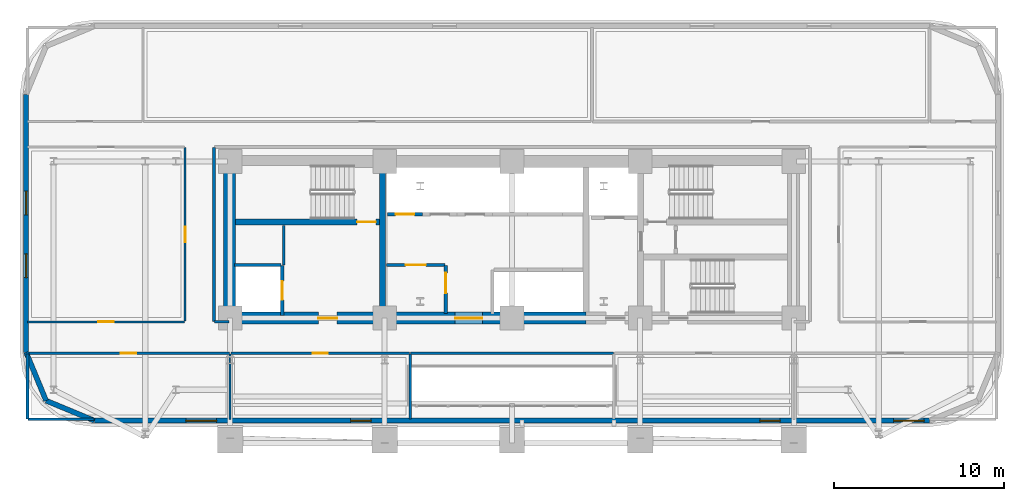
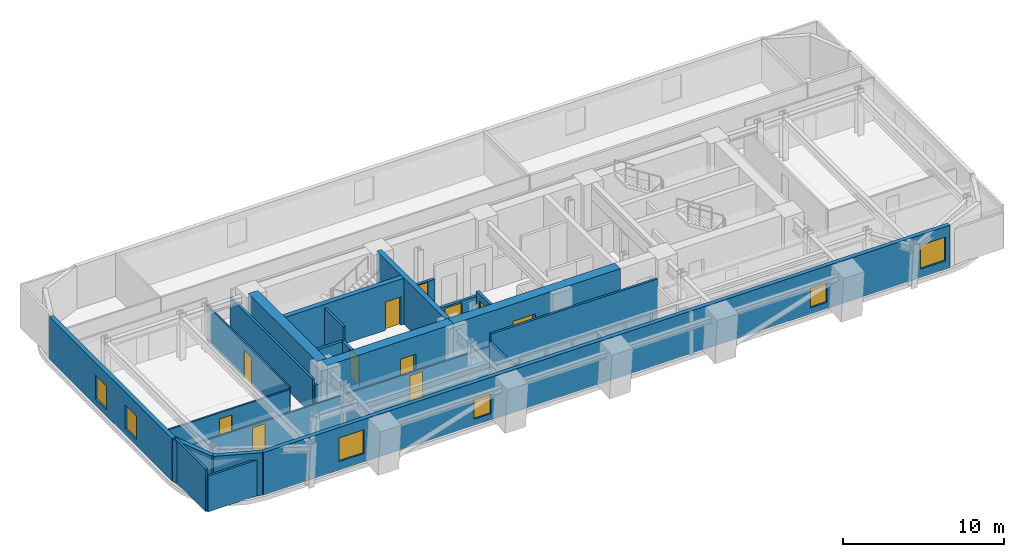
# One storey, part 8 of 14: 26 walls, 11 doors, 6 windows, 17 openings.
"""IFC4 building model written with IfcOpenShell, lengths in metres."""

from ifc_helpers import new_model, si_unit, direction, frame, frame_2d, origin, place, context, subcontext, project, spatial, rectangle, extrude, material, layer, layer_set, type_object, element, fill, save


model = new_model("IFC4")

# Units and contexts
model_context = context("Model", 3, precision=1e-05, world=origin(), true_north=direction((0.0, 1.0)))
body_context = subcontext(model_context, "Body", "Model", "MODEL_VIEW")
ifc_project = project(units=[si_unit("LENGTHUNIT", "METRE"), si_unit("AREAUNIT", "SQUARE_METRE"), si_unit("VOLUMEUNIT", "CUBIC_METRE"), si_unit("PLANEANGLEUNIT", "RADIAN"), si_unit("MASSUNIT", "GRAM", prefix="KILO")], contexts=[model_context])

# Site, building, storey
site_placement = place(None, origin())
site = spatial("IfcSite", under=ifc_project, at=site_placement, CompositionType="ELEMENT")
building_placement = place(site_placement, origin())
building = spatial("IfcBuilding", under=site, at=building_placement, Name="Zarnavel Station Tower", CompositionType="ELEMENT")
storey_placement = place(building_placement, frame((0.0, 0.0, 60.5)))
storey = spatial("IfcBuildingStorey", under=building, at=storey_placement, Name="L16", CompositionType="ELEMENT", Elevation=60.5)

# Wall
ifc_material_1 = material(Name="Concrete C50/60", Category="concrete")
ifc_layer_1 = layer(ifc_material_1, 0.35009765625)
ifc_layer_set_1 = layer_set([ifc_layer_1], Name="CW_350")
wall_type_1 = type_object("IfcWallType", Name="CW_350", PredefinedType="SHEAR", material=ifc_layer_set_1)
wall_1_placement = place(storey_placement, frame((21.179931640625, 28.169921875, 0.0), z_axis=(0.0, 0.0, 1.0), x_axis=(0.0, 1.0, 0.0)))
element("IfcWall", 1, at=wall_1_placement, inside=storey, type_object=wall_type_1, Name="L16 Rear Core Shear Wall DIV-W", PredefinedType="SHEAR", context=body_context, shape_type="SweptSolid", body=[
    extrude(rectangle(XDim=8.530029296875, YDim=0.35009765625, at=frame_2d((4.26513671875, 0.0))), origin(), (0.0, 0.0, 1.0), 3.5),
])

# Wall, opening, door
wall_2_placement = place(storey_placement, frame((21.0048828125, 33.47998046875, 0.0), z_axis=(0.0, 0.0, 1.0), x_axis=(-1.0, 0.0, 0.0)))
wall_2 = element("IfcWall", 2, at=wall_2_placement, inside=storey, type_object=wall_type_1, Name="L16 Rear Core Shear Wall DIV-H1", PredefinedType="SHEAR", context=body_context, shape_type="SweptSolid", body=[
    extrude(rectangle(XDim=8.5048828125, YDim=0.35009765625, at=frame_2d((4.25244140625, 0.0))), origin(), (0.0, 0.0, 1.0), 3.5),
])
opening_1_placement = place(wall_2_placement, frame((0.219970703125, 0.0, 0.0)))
opening_1 = element("IfcOpeningElement", 3, at=opening_1_placement, cuts=wall_2, Name="Opening FD01", PredefinedType="OPENING", context=body_context, shape_type="SweptSolid", body=[
    extrude(rectangle(XDim=1.10009765625, YDim=2.14990234375, at=frame_2d((0.550048828125, 1.074951171875))), frame((0.0, 0.18505859375, 0.0), z_axis=(0.0, -1.0, 0.0), x_axis=(1.0, 0.0, 0.0)), (0.0, 0.0, 1.0), 0.3701171875),
])
ifc_material_2 = material(Name="Painted Galvanised Steel and Hardwood Leaf", Category="steel")
door_type_1 = type_object("IfcDoorType", Name="ID_STAIR_1100", OperationType="NOTDEFINED", PredefinedType="DOOR", material=ifc_material_2)
door_1_placement = place(opening_1_placement, origin())
door_1 = element("IfcDoor", 4, at=door_1_placement, inside=storey, type_object=door_type_1, Name="L16 Stair ST1 Lobby Fire Door", OperationType="SINGLE_SWING_LEFT", OverallHeight=2.14990234375, OverallWidth=1.10009765625, PredefinedType="DOOR", context=body_context, shape_type="SweptSolid", body=[
    extrude(rectangle(XDim=1.10009765625, YDim=2.14990234375, at=frame_2d((0.550048828125, 1.074951171875))), frame((0.0, 0.02490234375, 0.0), z_axis=(0.0, -1.0, 0.0), x_axis=(1.0, 0.0, 0.0)), (0.0, 0.0, 1.0), 0.050048828125),
])
fill(opening_1, door_1)

ifc_material_3 = material(Name="Concrete C60/75", Category="concrete")
ifc_layer_2 = layer(ifc_material_3, 0.699951171875)
ifc_layer_set_2 = layer_set([ifc_layer_2], Name="CW_700")
wall_type_2 = type_object("IfcWallType", Name="CW_700", PredefinedType="SHEAR", material=ifc_layer_set_2)
wall_3_placement = place(storey_placement, frame((21.179931640625, 27.820068359375, 0.0), z_axis=(0.0, 0.0, 1.0), x_axis=(-1.0, 0.0, 0.0)))
wall_3 = element("IfcWall", 5, at=wall_3_placement, inside=storey, type_object=wall_type_2, Name="L16 Rear Core Shear Wall S-W", PredefinedType="SHEAR", context=body_context, shape_type="SweptSolid", body=[
    extrude(rectangle(XDim=9.030029296875, YDim=0.699951171875, at=frame_2d((4.51513671875, 0.0))), origin(), (0.0, 0.0, 1.0), 3.5),
])
opening_2_placement = place(wall_3_placement, frame((2.679931640625, 0.0, 0.0)))
opening_2 = element("IfcOpeningElement", 6, at=opening_2_placement, cuts=wall_3, Name="Opening FD01", PredefinedType="OPENING", context=body_context, shape_type="SweptSolid", body=[
    extrude(rectangle(XDim=1.10009765625, YDim=2.14990234375, at=frame_2d((0.550048828125, 1.074951171875))), frame((0.0, 0.35986328125, 0.0), z_axis=(0.0, -1.0, 0.0), x_axis=(1.0, 0.0, 0.0)), (0.0, 0.0, 1.0), 0.719970703125),
])
door_2_placement = place(opening_2_placement, origin())
door_2 = element("IfcDoor", 7, at=door_2_placement, inside=storey, type_object=door_type_1, Name="L16 West Firefighting Lobby Door", OperationType="SINGLE_SWING_RIGHT", OverallHeight=2.14990234375, OverallWidth=1.10009765625, PredefinedType="DOOR", context=body_context, shape_type="SweptSolid", body=[
    extrude(rectangle(XDim=1.10009765625, YDim=2.14990234375, at=frame_2d((0.550048828125, 1.074951171875))), frame((0.0, 0.02490234375, 0.0), z_axis=(0.0, -1.0, 0.0), x_axis=(1.0, 0.0, 0.0)), (0.0, 0.0, 1.0), 0.050048828125),
])
fill(opening_2, door_2)

wall_4_placement = place(storey_placement, frame((33.14990234375, 27.820068359375, 0.0), z_axis=(0.0, 0.0, 1.0), x_axis=(-1.0, 0.0, 0.0)))
wall_4 = element("IfcWall", 8, at=wall_4_placement, inside=storey, type_object=wall_type_2, Name="L16 Rear Core Shear Wall S-M", PredefinedType="SHEAR", context=body_context, shape_type="SweptSolid", body=[
    extrude(rectangle(XDim=11.969970703125, YDim=0.699951171875, at=frame_2d((5.98486328125, 0.0))), origin(), (0.0, 0.0, 1.0), 3.5),
])
opening_3_placement = place(wall_4_placement, frame((6.10009765625, 0.0, 0.0)))
opening_3 = element("IfcOpeningElement", 9, at=opening_3_placement, cuts=wall_4, Name="Opening ID03", PredefinedType="OPENING", context=body_context, shape_type="SweptSolid", body=[
    extrude(rectangle(XDim=1.60009765625, YDim=2.199951171875, at=frame_2d((0.800048828125, 1.10009765625))), frame((0.0, 0.35986328125, 0.0), z_axis=(0.0, -1.0, 0.0), x_axis=(1.0, 0.0, 0.0)), (0.0, 0.0, 1.0), 0.719970703125),
])
ifc_material_4 = material(Name="Painted Galvanised Steel and Hardwood Leaf", Category="steel")
door_type_2 = type_object("IfcDoorType", Name="ID_PUBLIC_1600", OperationType="DOUBLE_DOOR_SINGLE_SWING", PredefinedType="DOOR", material=ifc_material_4)
door_3_placement = place(opening_3_placement, origin())
door_3 = element("IfcDoor", 10, at=door_3_placement, inside=storey, type_object=door_type_2, Name="L16 Passenger Lift Lobby Double Door", OperationType="SINGLE_SWING_LEFT", OverallHeight=2.199951171875, OverallWidth=1.60009765625, PredefinedType="DOOR", context=body_context, shape_type="SweptSolid", body=[
    extrude(rectangle(XDim=1.60009765625, YDim=2.199951171875, at=frame_2d((0.800048828125, 1.10009765625))), frame((0.0, 0.02490234375, 0.0), z_axis=(0.0, -1.0, 0.0), x_axis=(1.0, 0.0, 0.0)), (0.0, 0.0, 1.0), 0.050048828125),
])
fill(opening_3, door_3)

# Wall
wall_5_placement = place(storey_placement, frame((12.14990234375, 28.169921875, 0.0), z_axis=(0.0, 0.0, 1.0), x_axis=(0.0, 1.0, 0.0)))
element("IfcWall", 11, at=wall_5_placement, inside=storey, type_object=wall_type_2, Name="L16 Rear Core Shear Wall W", PredefinedType="SHEAR", context=body_context, shape_type="SweptSolid", body=[
    extrude(rectangle(XDim=8.530029296875, YDim=0.699951171875, at=frame_2d((4.26513671875, 0.0))), origin(), (0.0, 0.0, 1.0), 3.5),
])

# Wall, openings, windows
ifc_material_5 = material(Name="Precast concrete C45/55 (Dark Basalt Finish)", Category="masonry")
ifc_layer_3 = layer(ifc_material_5, 0.300048828125)
ifc_layer_set_3 = layer_set([ifc_layer_3], Name="EW_BASALT_300")
wall_type_3 = type_object("IfcWallType", Name="EW_BASALT_300", PredefinedType="SOLIDWALL", material=ifc_layer_set_3)
wall_6_placement = place(storey_placement, frame((0.179931640625, 25.800048828125, 0.0), z_axis=(0.0, 0.0, 1.0), x_axis=(0.0, 1.0, 0.0)))
wall_6 = element("IfcWall", 12, at=wall_6_placement, inside=storey, type_object=wall_type_3, Name="L16 Exterior Basalt Masonry Frame Wall 09", PredefinedType="SOLIDWALL", context=body_context, shape_type="SweptSolid", body=[
    extrude(rectangle(XDim=15.199951171875, YDim=0.300048828125, at=frame_2d((7.60009765625, 0.0))), origin(), (0.0, 0.0, 1.0), 3.239990234375),
])
opening_4_placement = place(wall_6_placement, frame((4.39990234375, 0.0, 0.47998046875)))
opening_4 = element("IfcOpeningElement", 13, at=opening_4_placement, cuts=wall_6, Name="Opening WN01", PredefinedType="OPENING", context=body_context, shape_type="SweptSolid", body=[
    extrude(rectangle(XDim=1.39990234375, YDim=1.800048828125, at=frame_2d((0.699951171875, 0.89990234375))), frame((0.0, 0.159912109375, 0.0), z_axis=(0.0, -1.0, 0.0), x_axis=(1.0, 0.0, 0.0)), (0.0, 0.0, 1.0), 0.320068359375),
])
opening_5_placement = place(wall_6_placement, frame((8.10009765625, 0.0, 0.47998046875)))
opening_5 = element("IfcOpeningElement", 14, at=opening_5_placement, cuts=wall_6, Name="Opening WN01", PredefinedType="OPENING", context=body_context, shape_type="SweptSolid", body=[
    extrude(rectangle(XDim=1.39990234375, YDim=1.800048828125, at=frame_2d((0.699951171875, 0.89990234375))), frame((0.0, 0.159912109375, 0.0), z_axis=(0.0, -1.0, 0.0), x_axis=(1.0, 0.0, 0.0)), (0.0, 0.0, 1.0), 0.320068359375),
])
ifc_material_6 = material(Name="Thermally Broken Black Aluminium and Low-E Dark Glass", Category="aluminium")
window_type_1 = type_object("IfcWindowType", Name="WN_1400x1800", PartitioningType="DOUBLE_PANEL_VERTICAL", PredefinedType="WINDOW", material=ifc_material_6)
window_1_placement = place(opening_4_placement, origin())
window_1 = element("IfcWindow", 15, at=window_1_placement, inside=storey, type_object=window_type_1, Name="L16 Recessed Facade Window 01", OverallHeight=1.800048828125, OverallWidth=1.39990234375, PartitioningType="SINGLE_PANEL", PredefinedType="WINDOW", context=body_context, shape_type="SweptSolid", body=[
    extrude(rectangle(XDim=1.39990234375, YDim=1.800048828125, at=frame_2d((0.699951171875, 0.89990234375))), frame((0.0, 0.030029296875, 0.0), z_axis=(0.0, -1.0, 0.0), x_axis=(1.0, 0.0, 0.0)), (0.0, 0.0, 1.0), 0.06005859375),
])
fill(opening_4, window_1)
window_2_placement = place(opening_5_placement, origin())
window_2 = element("IfcWindow", 16, at=window_2_placement, inside=storey, type_object=window_type_1, Name="L16 Recessed Facade Window 02", OverallHeight=1.800048828125, OverallWidth=1.39990234375, PartitioningType="SINGLE_PANEL", PredefinedType="WINDOW", context=body_context, shape_type="SweptSolid", body=[
    extrude(rectangle(XDim=1.39990234375, YDim=1.800048828125, at=frame_2d((0.699951171875, 0.89990234375))), frame((0.0, 0.030029296875, 0.0), z_axis=(0.0, -1.0, 0.0), x_axis=(1.0, 0.0, 0.0)), (0.0, 0.0, 1.0), 0.06005859375),
])
fill(opening_5, window_2)

# Walls
for number, where, z_axis, x_axis, name in (
    (17, (1.357421875, 22.95751953125, 0.0), (0.0, 0.0, 1.0), (-0.382704529509, 0.923870793506, 0.0), "L16 Exterior Basalt Masonry Frame Wall 10"),
    (18, (4.199951171875, 21.780029296875, 0.0), (0.0, 0.0, 1.0), (-0.923870793506, 0.382704529509, 0.0), "L16 Exterior Basalt Masonry Frame Wall 11"),
):
    element("IfcWall", number, at=place(storey_placement, frame(where, z_axis=z_axis, x_axis=x_axis)), inside=storey, type_object=wall_type_3, Name=name, PredefinedType="SOLIDWALL", context=body_context, shape_type="SweptSolid", body=[
        extrude(rectangle(XDim=3.07666015625, YDim=0.300048828125, at=frame_2d((1.538330078125, 0.0))), origin(), (0.0, 0.0, 1.0), 3.239990234375),
    ])

# Wall, openings, windows
wall_7_placement = place(storey_placement, frame((53.39990234375, 21.780029296875, 0.0), z_axis=(0.0, 0.0, 1.0), x_axis=(-1.0, 0.0, 0.0)))
wall_7 = element("IfcWall", 19, at=wall_7_placement, inside=storey, type_object=wall_type_3, Name="L16 Exterior Basalt Masonry Frame Wall 12", PredefinedType="SOLIDWALL", context=body_context, shape_type="SweptSolid", body=[
    extrude(rectangle(XDim=49.199951171875, YDim=0.300048828125, at=frame_2d((24.60009765625, 0.0))), origin(), (0.0, 0.0, 1.0), 3.239990234375),
])
opening_6_placement = place(wall_7_placement, frame((42.00341796875, 0.0, 0.64990234375)))
opening_6 = element("IfcOpeningElement", 20, at=opening_6_placement, cuts=wall_7, Name="Opening WN02", PredefinedType="OPENING", context=body_context, shape_type="SweptSolid", body=[
    extrude(rectangle(XDim=1.800048828125, YDim=1.800048828125, at=frame_2d((0.89990234375, 0.89990234375))), frame((0.0, 0.159912109375, 0.0), z_axis=(0.0, -1.0, 0.0), x_axis=(1.0, 0.0, 0.0)), (0.0, 0.0, 1.0), 0.320068359375),
])
opening_7_placement = place(wall_7_placement, frame((32.903564453125, 0.0, 0.47998046875)))
opening_7 = element("IfcOpeningElement", 21, at=opening_7_placement, cuts=wall_7, Name="Opening WN08", PredefinedType="OPENING", context=body_context, shape_type="SweptSolid", body=[
    extrude(rectangle(XDim=1.199951171875, YDim=1.5, at=frame_2d((0.60009765625, 0.75))), frame((0.0, 0.159912109375, 0.0), z_axis=(0.0, -1.0, 0.0), x_axis=(1.0, 0.0, 0.0)), (0.0, 0.0, 1.0), 0.320068359375),
])
opening_8_placement = place(wall_7_placement, frame((8.803466796875, 0.0, 0.47998046875)))
opening_8 = element("IfcOpeningElement", 22, at=opening_8_placement, cuts=wall_7, Name="Opening WN08", PredefinedType="OPENING", context=body_context, shape_type="SweptSolid", body=[
    extrude(rectangle(XDim=1.199951171875, YDim=1.5, at=frame_2d((0.60009765625, 0.75))), frame((0.0, 0.159912109375, 0.0), z_axis=(0.0, -1.0, 0.0), x_axis=(1.0, 0.0, 0.0)), (0.0, 0.0, 1.0), 0.320068359375),
])
opening_9_placement = place(wall_7_placement, frame((0.320068359375, 0.0, 0.64990234375)))
opening_9 = element("IfcOpeningElement", 23, at=opening_9_placement, cuts=wall_7, Name="Opening WN02", PredefinedType="OPENING", context=body_context, shape_type="SweptSolid", body=[
    extrude(rectangle(XDim=1.800048828125, YDim=1.800048828125, at=frame_2d((0.89990234375, 0.89990234375))), frame((0.0, 0.159912109375, 0.0), z_axis=(0.0, -1.0, 0.0), x_axis=(1.0, 0.0, 0.0)), (0.0, 0.0, 1.0), 0.320068359375),
])
ifc_material_7 = material(Name="Thermally Broken Black Aluminium and Low-E Dark Glass", Category="aluminium")
window_type_2 = type_object("IfcWindowType", Name="WN_1200x1500", PartitioningType="SINGLE_PANEL", PredefinedType="WINDOW", material=ifc_material_7)
window_3_placement = place(opening_7_placement, origin())
window_3 = element("IfcWindow", 24, at=window_3_placement, inside=storey, type_object=window_type_2, Name="L16 Recessed Facade Window 02", OverallHeight=1.5, OverallWidth=1.199951171875, PartitioningType="SINGLE_PANEL", PredefinedType="WINDOW", context=body_context, shape_type="SweptSolid", body=[
    extrude(rectangle(XDim=1.199951171875, YDim=1.5, at=frame_2d((0.60009765625, 0.75))), frame((0.0, 0.030029296875, 0.0), z_axis=(0.0, -1.0, 0.0), x_axis=(1.0, 0.0, 0.0)), (0.0, 0.0, 1.0), 0.06005859375),
])
fill(opening_7, window_3)
window_4_placement = place(opening_8_placement, origin())
window_4 = element("IfcWindow", 25, at=window_4_placement, inside=storey, type_object=window_type_2, Name="L16 Recessed Facade Window 03", OverallHeight=1.5, OverallWidth=1.199951171875, PartitioningType="SINGLE_PANEL", PredefinedType="WINDOW", context=body_context, shape_type="SweptSolid", body=[
    extrude(rectangle(XDim=1.199951171875, YDim=1.5, at=frame_2d((0.60009765625, 0.75))), frame((0.0, 0.030029296875, 0.0), z_axis=(0.0, -1.0, 0.0), x_axis=(1.0, 0.0, 0.0)), (0.0, 0.0, 1.0), 0.06005859375),
])
fill(opening_8, window_4)
ifc_material_8 = material(Name="Thermally Broken Black Aluminium and Low-E Dark Glass", Category="aluminium")
window_type_3 = type_object("IfcWindowType", Name="WN_1800x1800", PartitioningType="DOUBLE_PANEL_VERTICAL", PredefinedType="WINDOW", material=ifc_material_8)
window_5_placement = place(opening_6_placement, origin())
window_5 = element("IfcWindow", 26, at=window_5_placement, inside=storey, type_object=window_type_3, Name="L16 Recessed Facade Window 01", OverallHeight=1.800048828125, OverallWidth=1.800048828125, PartitioningType="SINGLE_PANEL", PredefinedType="WINDOW", context=body_context, shape_type="SweptSolid", body=[
    extrude(rectangle(XDim=1.800048828125, YDim=1.800048828125, at=frame_2d((0.89990234375, 0.89990234375))), frame((0.0, 0.030029296875, 0.0), z_axis=(0.0, -1.0, 0.0), x_axis=(1.0, 0.0, 0.0)), (0.0, 0.0, 1.0), 0.06005859375),
])
fill(opening_6, window_5)
window_6_placement = place(opening_9_placement, origin())
window_6 = element("IfcWindow", 27, at=window_6_placement, inside=storey, type_object=window_type_3, Name="L16 Recessed Facade Window 04", OverallHeight=1.800048828125, OverallWidth=1.800048828125, PartitioningType="SINGLE_PANEL", PredefinedType="WINDOW", context=body_context, shape_type="SweptSolid", body=[
    extrude(rectangle(XDim=1.800048828125, YDim=1.800048828125, at=frame_2d((0.89990234375, 0.89990234375))), frame((0.0, 0.030029296875, 0.0), z_axis=(0.0, -1.0, 0.0), x_axis=(1.0, 0.0, 0.0)), (0.0, 0.0, 1.0), 0.06005859375),
])
fill(opening_9, window_6)

# Walls
ifc_material_9 = material(Name="Gypsum Twin-Stud Acoustic Fire Partition", Category="concrete")
ifc_layer_4 = layer(ifc_material_9, 0.159912109375)
ifc_layer_set_4 = layer_set([ifc_layer_4], Name="PT_DEMISE_160")
wall_type_4 = type_object("IfcWallType", Name="PT_DEMISE_160", PredefinedType="PARTITIONING", material=ifc_layer_set_4)
wall_8_placement = place(storey_placement, frame((15.35009765625, 30.9599609375, 0.0), z_axis=(0.0, 0.0, 1.0), x_axis=(0.0, 1.0, 0.0)))
element("IfcWall", 28, at=wall_8_placement, inside=storey, type_object=wall_type_4, Name="L16 Enclosure Wall FFL1", PredefinedType="PARTITIONING", context=body_context, shape_type="SweptSolid", body=[
    extrude(rectangle(XDim=2.31005859375, YDim=0.159912109375, at=frame_2d((1.155029296875, 0.0))), origin(), (0.0, 0.0, 1.0), 3.239990234375),
])
wall_9_placement = place(storey_placement, frame((22.830078125, 25.75, 0.0), z_axis=(0.0, 0.0, 1.0), x_axis=(1.0, 0.0, 0.0)))
element("IfcWall", 29, at=wall_9_placement, inside=storey, type_object=wall_type_4, Name="L16 Enclosure Wall COR-S", PredefinedType="PARTITIONING", context=body_context, shape_type="SweptSolid", body=[
    extrude(rectangle(XDim=11.93994140625, YDim=0.159912109375, at=frame_2d((5.969970703125, 0.0))), origin(), (0.0, 0.0, 1.0), 3.239990234375),
])
wall_10_placement = place(storey_placement, frame((11.280029296875, 27.60009765625, 0.0), z_axis=(0.0, 0.0, 1.0), x_axis=(1.0, 0.0, 0.0)))
element("IfcWall", 30, at=wall_10_placement, inside=storey, type_object=wall_type_4, Name="L16 Enclosure Wall COR-S", PredefinedType="PARTITIONING", context=body_context, shape_type="SweptSolid", body=[
    extrude(rectangle(XDim=0.840087890625, YDim=0.159912109375, at=frame_2d((0.419921875, 0.0))), origin(), (0.0, 0.0, 1.0), 2.280029296875),
])
wall_11_placement = place(storey_placement, frame((11.25, 27.6298828125, 0.0), z_axis=(0.0, 0.0, 1.0), x_axis=(0.0, 1.0, 0.0)))
element("IfcWall", 31, at=wall_11_placement, inside=storey, type_object=wall_type_4, Name="L16 Enclosure Wall COR-W", PredefinedType="PARTITIONING", context=body_context, shape_type="SweptSolid", body=[
    extrude(rectangle(XDim=10.240234375, YDim=0.159912109375, at=frame_2d((5.1201171875, 0.0))), origin(), (0.0, 0.0, 1.0), 2.719970703125),
])
wall_12_placement = place(storey_placement, frame((0.2900390625, 21.860107421875, 0.0), z_axis=(0.0, 0.0, 1.0), x_axis=(1.0, 0.0, 0.0)))
element("IfcWall", 32, at=wall_12_placement, inside=storey, type_object=wall_type_4, Name="L16 Enclosure Wall Z1GAL", PredefinedType="PARTITIONING", context=body_context, shape_type="SweptSolid", body=[
    extrude(rectangle(XDim=3.8798828125, YDim=0.159912109375, at=frame_2d((1.93994140625, 0.0))), origin(), (0.0, 0.0, 1.0), 2.719970703125),
])
wall_13_placement = place(storey_placement, frame((0.260009765625, 21.889892578125, 0.0), z_axis=(0.0, 0.0, 1.0), x_axis=(0.0, 1.0, 0.0)))
element("IfcWall", 33, at=wall_13_placement, inside=storey, type_object=wall_type_4, Name="L16 Enclosure Wall Z1GAL", PredefinedType="PARTITIONING", context=body_context, shape_type="SweptSolid", body=[
    extrude(rectangle(XDim=3.830078125, YDim=0.159912109375, at=frame_2d((1.9150390625, 0.0))), origin(), (0.0, 0.0, 1.0), 3.239990234375),
])
wall_14_placement = place(storey_placement, frame((22.800048828125, 21.889892578125, 0.0), z_axis=(0.0, 0.0, 1.0), x_axis=(0.0, 1.0, 0.0)))
element("IfcWall", 34, at=wall_14_placement, inside=storey, type_object=wall_type_4, Name="L16 Enclosure Wall Z1LIB", PredefinedType="PARTITIONING", context=body_context, shape_type="SweptSolid", body=[
    extrude(rectangle(XDim=3.830078125, YDim=0.159912109375, at=frame_2d((1.9150390625, 0.0))), origin(), (0.0, 0.0, 1.0), 2.679931640625),
])

# Wall, opening, door
ifc_material_10 = material(Name="Gypsum Metal-Stud Interior Partition", Category="concrete")
ifc_layer_5 = layer(ifc_material_10, 0.1201171875)
ifc_layer_set_5 = layer_set([ifc_layer_5], Name="PT_ROOM_120")
wall_type_5 = type_object("IfcWallType", Name="PT_ROOM_120", PredefinedType="PARTITIONING", material=ifc_layer_set_5)
wall_15_placement = place(storey_placement, frame((0.260009765625, 27.60009765625, 0.0), z_axis=(0.0, 0.0, 1.0), x_axis=(1.0, 0.0, 0.0)))
wall_15 = element("IfcWall", 35, at=wall_15_placement, inside=storey, type_object=wall_type_5, Name="L16 Partition COR-S-FNW4", PredefinedType="PARTITIONING", context=body_context, shape_type="SweptSolid", body=[
    extrude(rectangle(XDim=9.25, YDim=0.1201171875, at=frame_2d((4.625, 0.0))), origin(), (0.0, 0.0, 1.0), 2.570068359375),
])
opening_10_placement = place(wall_15_placement, frame((4.175048828125, 0.0, 0.0)))
opening_10 = element("IfcOpeningElement", 36, at=opening_10_placement, cuts=wall_15, Name="Opening ID01", PredefinedType="OPENING", context=body_context, shape_type="SweptSolid", body=[
    extrude(rectangle(XDim=0.89990234375, YDim=2.10009765625, at=frame_2d((0.449951171875, 1.050048828125))), frame((0.0, 0.070068359375, 0.0), z_axis=(0.0, -1.0, 0.0), x_axis=(1.0, 0.0, 0.0)), (0.0, 0.0, 1.0), 0.14013671875),
])
ifc_material_11 = material(Name="Painted Galvanised Steel and Hardwood Leaf", Category="steel")
door_type_3 = type_object("IfcDoorType", Name="ID_ROOM_900", OperationType="NOTDEFINED", PredefinedType="DOOR", material=ifc_material_11)
door_4_placement = place(opening_10_placement, origin())
door_4 = element("IfcDoor", 37, at=door_4_placement, inside=storey, type_object=door_type_3, Name="L16 Door COR-S-FNW4", OperationType="SINGLE_SWING_LEFT", OverallHeight=2.10009765625, OverallWidth=0.89990234375, PredefinedType="DOOR", context=body_context, shape_type="SweptSolid", body=[
    extrude(rectangle(XDim=0.89990234375, YDim=2.10009765625, at=frame_2d((0.449951171875, 1.050048828125))), frame((0.0, 0.02490234375, 0.0), z_axis=(0.0, -1.0, 0.0), x_axis=(1.0, 0.0, 0.0)), (0.0, 0.0, 1.0), 0.050048828125),
])
fill(opening_10, door_4)

wall_16_placement = place(storey_placement, frame((0.260009765625, 25.75, 0.0), z_axis=(0.0, 0.0, 1.0), x_axis=(1.0, 0.0, 0.0)))
wall_16 = element("IfcWall", 38, at=wall_16_placement, inside=storey, type_object=wall_type_5, Name="L16 Partition COR-S-Z1GAL", PredefinedType="PARTITIONING", context=body_context, shape_type="SweptSolid", body=[
    extrude(rectangle(XDim=11.89990234375, YDim=0.1201171875, at=frame_2d((5.949951171875, 0.0))), origin(), (0.0, 0.0, 1.0), 2.31005859375),
])
opening_11_placement = place(wall_16_placement, frame((5.5, 0.0, 0.0)))
opening_11 = element("IfcOpeningElement", 39, at=opening_11_placement, cuts=wall_16, Name="Opening ID01", PredefinedType="OPENING", context=body_context, shape_type="SweptSolid", body=[
    extrude(rectangle(XDim=0.89990234375, YDim=2.10009765625, at=frame_2d((0.449951171875, 1.050048828125))), frame((0.0, 0.070068359375, 0.0), z_axis=(0.0, -1.0, 0.0), x_axis=(1.0, 0.0, 0.0)), (0.0, 0.0, 1.0), 0.14013671875),
])
door_5_placement = place(opening_11_placement, origin())
door_5 = element("IfcDoor", 40, at=door_5_placement, inside=storey, type_object=door_type_3, Name="L16 Door COR-S-Z1GAL", OperationType="SINGLE_SWING_LEFT", OverallHeight=2.10009765625, OverallWidth=0.89990234375, PredefinedType="DOOR", context=body_context, shape_type="SweptSolid", body=[
    extrude(rectangle(XDim=0.89990234375, YDim=2.10009765625, at=frame_2d((0.449951171875, 1.050048828125))), frame((0.0, 0.02490234375, 0.0), z_axis=(0.0, -1.0, 0.0), x_axis=(1.0, 0.0, 0.0)), (0.0, 0.0, 1.0), 0.050048828125),
])
fill(opening_11, door_5)

wall_17_placement = place(storey_placement, frame((12.239990234375, 25.75, 0.0), z_axis=(0.0, 0.0, 1.0), x_axis=(1.0, 0.0, 0.0)))
wall_17 = element("IfcWall", 41, at=wall_17_placement, inside=storey, type_object=wall_type_5, Name="L16 Partition COR-S-Z1LIB", PredefinedType="PARTITIONING", context=body_context, shape_type="SweptSolid", body=[
    extrude(rectangle(XDim=10.52001953125, YDim=0.1201171875, at=frame_2d((5.260009765625, 0.0))), origin(), (0.0, 0.0, 1.0), 2.31005859375),
])
opening_12_placement = place(wall_17_placement, frame((4.81005859375, 0.0, 0.0)))
opening_12 = element("IfcOpeningElement", 42, at=opening_12_placement, cuts=wall_17, Name="Opening ID01", PredefinedType="OPENING", context=body_context, shape_type="SweptSolid", body=[
    extrude(rectangle(XDim=0.89990234375, YDim=2.10009765625, at=frame_2d((0.449951171875, 1.050048828125))), frame((0.0, 0.070068359375, 0.0), z_axis=(0.0, -1.0, 0.0), x_axis=(1.0, 0.0, 0.0)), (0.0, 0.0, 1.0), 0.14013671875),
])
door_6_placement = place(opening_12_placement, origin())
door_6 = element("IfcDoor", 43, at=door_6_placement, inside=storey, type_object=door_type_3, Name="L16 Door COR-S-Z1LIB", OperationType="SINGLE_SWING_RIGHT", OverallHeight=2.10009765625, OverallWidth=0.89990234375, PredefinedType="DOOR", context=body_context, shape_type="SweptSolid", body=[
    extrude(rectangle(XDim=0.89990234375, YDim=2.10009765625, at=frame_2d((0.449951171875, 1.050048828125))), frame((0.0, 0.02490234375, 0.0), z_axis=(0.0, -1.0, 0.0), x_axis=(1.0, 0.0, 0.0)), (0.0, 0.0, 1.0), 0.050048828125),
])
fill(opening_12, door_6)

wall_18_placement = place(storey_placement, frame((9.550048828125, 27.639892578125, 0.0), z_axis=(0.0, 0.0, 1.0), x_axis=(0.0, 1.0, 0.0)))
wall_18 = element("IfcWall", 44, at=wall_18_placement, inside=storey, type_object=wall_type_5, Name="L16 Partition COR-W-FNW4", PredefinedType="PARTITIONING", context=body_context, shape_type="SweptSolid", body=[
    extrude(rectangle(XDim=10.22021484375, YDim=0.1201171875, at=frame_2d((5.110107421875, 0.0))), origin(), (0.0, 0.0, 1.0), 2.719970703125),
])
opening_13_placement = place(wall_18_placement, frame((4.659912109375, 0.0, 0.0)))
opening_13 = element("IfcOpeningElement", 45, at=opening_13_placement, cuts=wall_18, Name="Opening ID01", PredefinedType="OPENING", context=body_context, shape_type="SweptSolid", body=[
    extrude(rectangle(XDim=0.89990234375, YDim=2.10009765625, at=frame_2d((0.449951171875, 1.050048828125))), frame((0.0, 0.070068359375, 0.0), z_axis=(0.0, -1.0, 0.0), x_axis=(1.0, 0.0, 0.0)), (0.0, 0.0, 1.0), 0.14013671875),
])
door_7_placement = place(opening_13_placement, origin())
door_7 = element("IfcDoor", 46, at=door_7_placement, inside=storey, type_object=door_type_3, Name="L16 Door COR-W-FNW4", OperationType="SINGLE_SWING_LEFT", OverallHeight=2.10009765625, OverallWidth=0.89990234375, PredefinedType="DOOR", context=body_context, shape_type="SweptSolid", body=[
    extrude(rectangle(XDim=0.89990234375, YDim=2.10009765625, at=frame_2d((0.449951171875, 1.050048828125))), frame((0.0, 0.02490234375, 0.0), z_axis=(0.0, -1.0, 0.0), x_axis=(1.0, 0.0, 0.0)), (0.0, 0.0, 1.0), 0.050048828125),
])
fill(opening_13, door_7)

# Wall
wall_19_placement = place(storey_placement, frame((12.199951171875, 21.860107421875, 0.0), z_axis=(0.0, 0.0, 1.0), x_axis=(0.0, 1.0, 0.0)))
element("IfcWall", 47, at=wall_19_placement, inside=storey, type_object=wall_type_5, Name="L16 Partition Z1GAL-Z1LIB", PredefinedType="PARTITIONING", context=body_context, shape_type="SweptSolid", body=[
    extrude(rectangle(XDim=3.849853515625, YDim=0.1201171875, at=frame_2d((1.9248046875, 0.0))), origin(), (0.0, 0.0, 1.0), 2.31005859375),
])

# Wall, opening, door
ifc_material_12 = material(Name="Precast concrete C45/55 (Fire Shaft Blockwork)", Category="masonry")
ifc_layer_6 = layer(ifc_material_12, 0.199951171875)
ifc_layer_set_6 = layer_set([ifc_layer_6], Name="PT_SHAFT_200")
wall_type_6 = type_object("IfcWallType", Name="PT_SHAFT_200", PredefinedType="PARTITIONING", material=ifc_layer_set_6)
wall_20_placement = place(storey_placement, frame((15.27001953125, 27.969970703125, 0.0), z_axis=(0.0, 0.0, 1.0), x_axis=(0.0, 1.0, 0.0)))
wall_20 = element("IfcWall", 48, at=wall_20_placement, inside=storey, type_object=wall_type_6, Name="L16 Lift FFL-01 Shaft Front Wall", PredefinedType="PARTITIONING", context=body_context, shape_type="SweptSolid", body=[
    extrude(rectangle(XDim=2.9599609375, YDim=0.199951171875, at=frame_2d((1.47998046875, 0.0))), origin(), (0.0, 0.0, 1.0), 2.2119140625),
])
opening_14_placement = place(wall_20_placement, frame((0.929931640625, 0.0, 0.0)))
opening_14 = element("IfcOpeningElement", 49, at=opening_14_placement, cuts=wall_20, Name="Opening LD01", PredefinedType="OPENING", context=body_context, shape_type="SweptSolid", body=[
    extrude(rectangle(XDim=1.10009765625, YDim=2.14990234375, at=frame_2d((0.550048828125, 1.074951171875))), frame((0.0, 0.10986328125, 0.0), z_axis=(0.0, -1.0, 0.0), x_axis=(1.0, 0.0, 0.0)), (0.0, 0.0, 1.0), 0.219970703125),
])
ifc_material_13 = material(Name="Painted Galvanised Steel and Hardwood Leaf", Category="steel")
door_type_4 = type_object("IfcDoorType", Name="LD_FF_1100", OperationType="DOUBLE_DOOR_SLIDING", PredefinedType="DOOR", material=ifc_material_13)
door_8_placement = place(opening_14_placement, origin())
door_8 = element("IfcDoor", 50, at=door_8_placement, inside=storey, type_object=door_type_4, Name="L16 Lift FFL-01 Sliding Landing Door", OperationType="DOUBLE_DOOR_SLIDING", OverallHeight=2.14990234375, OverallWidth=1.10009765625, PredefinedType="DOOR", context=body_context, shape_type="SweptSolid", body=[
    extrude(rectangle(XDim=1.10009765625, YDim=2.14990234375, at=frame_2d((0.550048828125, 1.074951171875))), frame((0.0, 0.02490234375, 0.0), z_axis=(0.0, -1.0, 0.0), x_axis=(1.0, 0.0, 0.0)), (0.0, 0.0, 1.0), 0.050048828125),
])
fill(opening_14, door_8)

# Wall
wall_21_placement = place(storey_placement, frame((12.449951171875, 30.949951171875, 0.0), z_axis=(0.0, 0.0, 1.0), x_axis=(1.0, 0.0, 0.0)))
element("IfcWall", 51, at=wall_21_placement, inside=storey, type_object=wall_type_6, Name="L16 Lift FFL-01 North Shaft Wall", PredefinedType="PARTITIONING", context=body_context, shape_type="SweptSolid", body=[
    extrude(rectangle(XDim=2.75, YDim=0.199951171875, at=frame_2d((1.375, 0.0))), origin(), (0.0, 0.0, 1.0), 2.2119140625),
])

# Wall, opening, door
wall_22_placement = place(storey_placement, frame((21.4599609375, 33.929931640625, 0.0), z_axis=(0.0, 0.0, 1.0), x_axis=(1.0, 0.0, 0.0)))
wall_22 = element("IfcWall", 52, at=wall_22_placement, inside=storey, type_object=wall_type_6, Name="L16 Lift PL-L1 Shaft Front Wall", PredefinedType="PARTITIONING", context=body_context, shape_type="SweptSolid", body=[
    extrude(rectangle(XDim=2.06494140625, YDim=0.199951171875, at=frame_2d((1.032470703125, 0.0))), origin(), (0.0, 0.0, 1.0), 2.2119140625),
])
opening_15_placement = place(wall_22_placement, frame((0.482421875, 0.0, 0.0)))
opening_15 = element("IfcOpeningElement", 53, at=opening_15_placement, cuts=wall_22, Name="Opening LD02", PredefinedType="OPENING", context=body_context, shape_type="SweptSolid", body=[
    extrude(rectangle(XDim=1.10009765625, YDim=2.14990234375, at=frame_2d((0.550048828125, 1.074951171875))), frame((0.0, 0.10986328125, 0.0), z_axis=(0.0, -1.0, 0.0), x_axis=(1.0, 0.0, 0.0)), (0.0, 0.0, 1.0), 0.219970703125),
])
ifc_material_14 = material(Name="Painted Galvanised Steel and Hardwood Leaf", Category="steel")
door_type_5 = type_object("IfcDoorType", Name="LD_PAX_1100", OperationType="DOUBLE_DOOR_SLIDING", PredefinedType="DOOR", material=ifc_material_14)
door_9_placement = place(opening_15_placement, origin())
door_9 = element("IfcDoor", 54, at=door_9_placement, inside=storey, type_object=door_type_5, Name="L16 Lift PL-L1 Sliding Landing Door", OperationType="DOUBLE_DOOR_SLIDING", OverallHeight=2.14990234375, OverallWidth=1.10009765625, PredefinedType="DOOR", context=body_context, shape_type="SweptSolid", body=[
    extrude(rectangle(XDim=1.10009765625, YDim=2.14990234375, at=frame_2d((0.550048828125, 1.074951171875))), frame((0.0, 0.02490234375, 0.0), z_axis=(0.0, -1.0, 0.0), x_axis=(1.0, 0.0, 0.0)), (0.0, 0.0, 1.0), 0.050048828125),
])
fill(opening_15, door_9)

wall_23_placement = place(storey_placement, frame((21.39990234375, 30.949951171875, 0.0), z_axis=(0.0, 0.0, 1.0), x_axis=(1.0, 0.0, 0.0)))
wall_23 = element("IfcWall", 55, at=wall_23_placement, inside=storey, type_object=wall_type_6, Name="L16 Partition LLOB-CS1", PredefinedType="PARTITIONING", context=body_context, shape_type="SweptSolid", body=[
    extrude(rectangle(XDim=3.460205078125, YDim=0.199951171875, at=frame_2d((1.72998046875, 0.0))), origin(), (0.0, 0.0, 1.0), 2.280029296875),
])
opening_16_placement = place(wall_23_placement, frame((1.1298828125, 0.0, 0.0)))
opening_16 = element("IfcOpeningElement", 56, at=opening_16_placement, cuts=wall_23, Name="Opening FD03", PredefinedType="OPENING", context=body_context, shape_type="SweptSolid", body=[
    extrude(rectangle(XDim=1.199951171875, YDim=2.14990234375, at=frame_2d((0.60009765625, 1.074951171875))), frame((0.0, 0.10986328125, 0.0), z_axis=(0.0, -1.0, 0.0), x_axis=(1.0, 0.0, 0.0)), (0.0, 0.0, 1.0), 0.219970703125),
])
ifc_material_15 = material(Name="Painted Galvanised Steel and Hardwood Leaf", Category="steel")
door_type_6 = type_object("IfcDoorType", Name="ID_PLANT_1200", OperationType="NOTDEFINED", PredefinedType="DOOR", material=ifc_material_15)
door_10_placement = place(opening_16_placement, origin())
door_10 = element("IfcDoor", 57, at=door_10_placement, inside=storey, type_object=door_type_6, Name="L16 Door LLOB-CS1", OperationType="SINGLE_SWING_LEFT", OverallHeight=2.14990234375, OverallWidth=1.199951171875, PredefinedType="DOOR", context=body_context, shape_type="SweptSolid", body=[
    extrude(rectangle(XDim=1.199951171875, YDim=2.14990234375, at=frame_2d((0.60009765625, 1.074951171875))), frame((0.0, 0.02490234375, 0.0), z_axis=(0.0, -1.0, 0.0), x_axis=(1.0, 0.0, 0.0)), (0.0, 0.0, 1.0), 0.050048828125),
])
fill(opening_16, door_10)

wall_24_placement = place(storey_placement, frame((24.89990234375, 28.090087890625, 0.0), z_axis=(0.0, 0.0, 1.0), x_axis=(0.0, 1.0, 0.0)))
wall_24 = element("IfcWall", 58, at=wall_24_placement, inside=storey, type_object=wall_type_6, Name="L16 Partition LLOBS-CS1", PredefinedType="PARTITIONING", context=body_context, shape_type="SweptSolid", body=[
    extrude(rectangle(XDim=2.81982421875, YDim=0.199951171875, at=frame_2d((1.409912109375, 0.0))), origin(), (0.0, 0.0, 1.0), 2.6201171875),
])
opening_17_placement = place(wall_24_placement, frame((1.20068359375, 0.0, 0.0)))
opening_17 = element("IfcOpeningElement", 59, at=opening_17_placement, cuts=wall_24, Name="Opening FD03", PredefinedType="OPENING", context=body_context, shape_type="SweptSolid", body=[
    extrude(rectangle(XDim=1.199951171875, YDim=2.14990234375, at=frame_2d((0.60009765625, 1.074951171875))), frame((0.0, 0.10986328125, 0.0), z_axis=(0.0, -1.0, 0.0), x_axis=(1.0, 0.0, 0.0)), (0.0, 0.0, 1.0), 0.219970703125),
])
door_11_placement = place(opening_17_placement, origin())
door_11 = element("IfcDoor", 60, at=door_11_placement, inside=storey, type_object=door_type_6, Name="L16 Door LLOBS-CS1", OperationType="SINGLE_SWING_RIGHT", OverallHeight=2.14990234375, OverallWidth=1.199951171875, PredefinedType="DOOR", context=body_context, shape_type="SweptSolid", body=[
    extrude(rectangle(XDim=1.199951171875, YDim=2.14990234375, at=frame_2d((0.60009765625, 1.074951171875))), frame((0.0, 0.02490234375, 0.0), z_axis=(0.0, -1.0, 0.0), x_axis=(1.0, 0.0, 0.0)), (0.0, 0.0, 1.0), 0.050048828125),
])
fill(opening_17, door_11)

save(model, "model.ifc")
